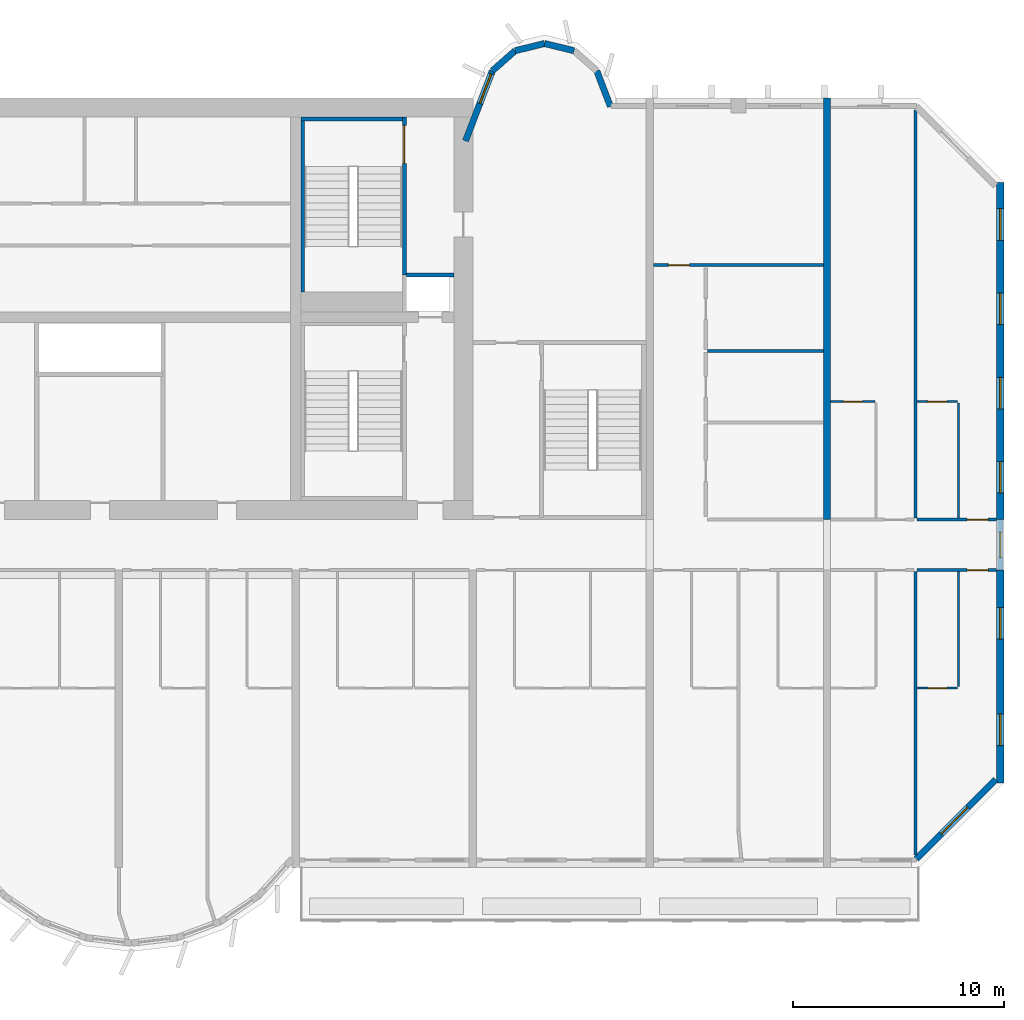
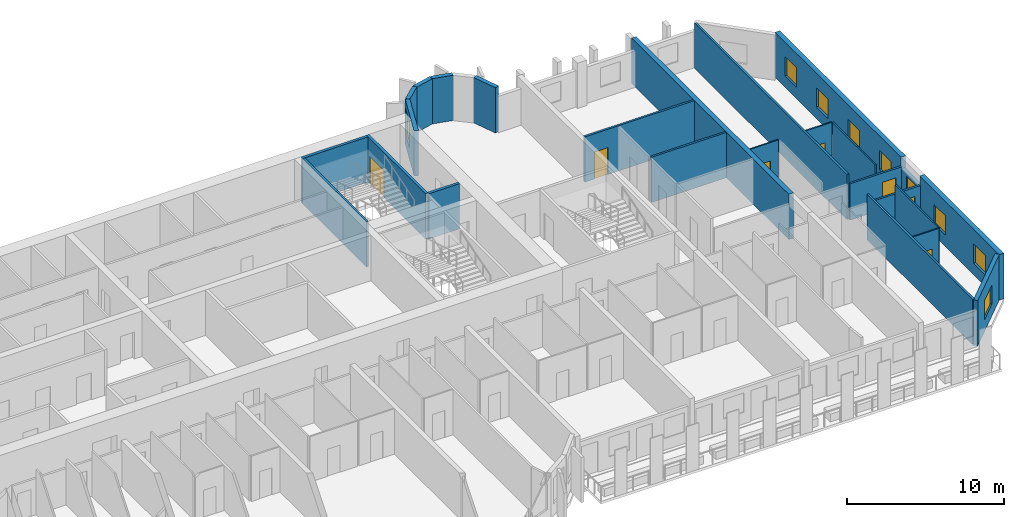
# One storey, part 10 of 14: 25 walls, 9 windows, 7 doors, 16 openings.
"""IFC4 building model written with IfcOpenShell, lengths in metres."""

from ifc_helpers import new_model, si_unit, direction, frame, frame_2d, origin, place, context, subcontext, project, spatial, rectangle, extrude, source, transform, mapped, material, layer, layer_set, type_object, element, fill, save


model = new_model("IFC4")

# Units and contexts
model_context = context("Model", 3, precision=1e-05, world=origin(), true_north=direction((0.0, 1.0)))
body_context = subcontext(model_context, "Body", "Model", "MODEL_VIEW")
ifc_project = project(units=[si_unit("LENGTHUNIT", "METRE"), si_unit("AREAUNIT", "SQUARE_METRE"), si_unit("VOLUMEUNIT", "CUBIC_METRE"), si_unit("PLANEANGLEUNIT", "RADIAN"), si_unit("MASSUNIT", "GRAM", prefix="KILO")], contexts=[model_context])

# Site, building, storey
site_placement = place(None, origin())
site = spatial("IfcSite", under=ifc_project, at=site_placement, CompositionType="ELEMENT")
building_placement = place(site_placement, origin())
building = spatial("IfcBuilding", under=site, at=building_placement, Name="Vanashikhar Sky Hotel", CompositionType="ELEMENT")
storey_placement = place(building_placement, frame((0.0, 0.0, 102.800048828125)))
storey = spatial("IfcBuildingStorey", under=building, at=storey_placement, Name="L24", CompositionType="ELEMENT", Elevation=102.800048828125)

# Wall, openings, windows
ifc_material_1 = material(Name="Concrete M70", Category="concrete")
ifc_layer_1 = layer(ifc_material_1, 0.35009765625)
ifc_layer_set_1 = layer_set([ifc_layer_1], Name="RC shear wall 350 Concrete M70")
wall_type_1 = type_object("IfcWallType", Name="RC shear wall 350 Concrete M70", PredefinedType="SHEAR", material=ifc_layer_set_1)
shared_shape_1 = source(origin(), body_context, "Body", "SweptSolid", [
    extrude(rectangle(XDim=10.10009765625, YDim=0.35009765625, at=frame_2d((5.050048828125, 0.0))), origin(), (0.0, 0.0, 1.0), 3.52001953125),
])
wall_1_placement = place(storey_placement, frame((100.625, 9.5, 0.0), z_axis=(0.0, 0.0, 1.0), x_axis=(0.0, 1.0, 0.0)))
wall_1 = element("IfcWall", 1, at=wall_1_placement, inside=storey, type_object=wall_type_1, Name="CW-L24-XW13-1", PredefinedType="SHEAR", context=body_context, shape_type="MappedRepresentation", body=[
    mapped(shared_shape_1, transform((0.0, 0.0, 0.0), scale=1.0)),
])
shared_shape_2 = source(origin(), body_context, "Body", "SweptSolid", [
    extrude(rectangle(XDim=1.5, YDim=1.5, at=frame_2d((0.75, 0.75))), frame((0.0, 0.18505859375, 0.0), z_axis=(0.0, -1.0, 0.0), x_axis=(1.0, 0.0, 0.0)), (0.0, 0.0, 1.0), 0.3701171875),
])
opening_1_placement = place(wall_1_placement, frame((1.77490234375, 0.0, 0.89990234375)))
opening_1 = element("IfcOpeningElement", 2, at=opening_1_placement, cuts=wall_1, Name="Opening WN-1", PredefinedType="OPENING", context=body_context, shape_type="MappedRepresentation", body=[
    mapped(shared_shape_2, transform((0.0, 0.0, 0.0), scale=1.0)),
])
opening_2_placement = place(wall_1_placement, frame((6.824951171875, 0.0, 0.89990234375)))
opening_2 = element("IfcOpeningElement", 3, at=opening_2_placement, cuts=wall_1, Name="Opening WN-1", PredefinedType="OPENING", context=body_context, shape_type="MappedRepresentation", body=[
    mapped(shared_shape_2, transform((0.0, 0.0, 0.0), scale=1.0)),
])
ifc_material_2 = material(Name="Glass", Category="glass")
window_type_1 = type_object("IfcWindowType", Name="Window 1500 x 1500", PartitioningType="SINGLE_PANEL", PredefinedType="WINDOW", material=ifc_material_2)
shared_shape_3 = source(origin(), body_context, "Body", "SweptSolid", [
    extrude(rectangle(XDim=1.5, YDim=1.5, at=frame_2d((0.75, 0.75))), frame((0.0, 0.030029296875, 0.0), z_axis=(0.0, -1.0, 0.0), x_axis=(1.0, 0.0, 0.0)), (0.0, 0.0, 1.0), 0.06005859375),
])
window_1_placement = place(opening_1_placement, origin())
window_1 = element("IfcWindow", 4, at=window_1_placement, inside=storey, type_object=window_type_1, Name="Window WN-1", OverallHeight=1.5, OverallWidth=1.5, PartitioningType="SINGLE_PANEL", PredefinedType="WINDOW", context=body_context, shape_type="MappedRepresentation", body=[
    mapped(shared_shape_3, transform((0.0, 0.0, 0.0), scale=1.0)),
])
fill(opening_1, window_1)
window_2_placement = place(opening_2_placement, origin())
window_2 = element("IfcWindow", 5, at=window_2_placement, inside=storey, type_object=window_type_1, Name="Window WN-1", OverallHeight=1.5, OverallWidth=1.5, PartitioningType="SINGLE_PANEL", PredefinedType="WINDOW", context=body_context, shape_type="MappedRepresentation", body=[
    mapped(shared_shape_3, transform((0.0, 0.0, 0.0), scale=1.0)),
])
fill(opening_2, window_2)

shared_shape_4 = source(origin(), body_context, "Body", "SweptSolid", [
    extrude(rectangle(XDim=16.0, YDim=0.35009765625, at=frame_2d((8.0, 0.0))), origin(), (0.0, 0.0, 1.0), 3.52001953125),
])
wall_2_placement = place(storey_placement, frame((100.625, 22.0, 0.0), z_axis=(0.0, 0.0, 1.0), x_axis=(0.0, 1.0, 0.0)))
wall_2 = element("IfcWall", 6, at=wall_2_placement, inside=storey, type_object=wall_type_1, Name="CW-L24-XW13-2", PredefinedType="SHEAR", context=body_context, shape_type="MappedRepresentation", body=[
    mapped(shared_shape_4, transform((0.0, 0.0, 0.0), scale=1.0)),
])
opening_3_placement = place(wall_2_placement, frame((1.25, 0.0, 0.89990234375)))
opening_3 = element("IfcOpeningElement", 7, at=opening_3_placement, cuts=wall_2, Name="Opening WN-1", PredefinedType="OPENING", context=body_context, shape_type="MappedRepresentation", body=[
    mapped(shared_shape_2, transform((0.0, 0.0, 0.0), scale=1.0)),
])
opening_4_placement = place(wall_2_placement, frame((5.25, 0.0, 0.89990234375)))
opening_4 = element("IfcOpeningElement", 8, at=opening_4_placement, cuts=wall_2, Name="Opening WN-1", PredefinedType="OPENING", context=body_context, shape_type="MappedRepresentation", body=[
    mapped(shared_shape_2, transform((0.0, 0.0, 0.0), scale=1.0)),
])
opening_5_placement = place(wall_2_placement, frame((9.25, 0.0, 0.89990234375)))
opening_5 = element("IfcOpeningElement", 9, at=opening_5_placement, cuts=wall_2, Name="Opening WN-1", PredefinedType="OPENING", context=body_context, shape_type="MappedRepresentation", body=[
    mapped(shared_shape_2, transform((0.0, 0.0, 0.0), scale=1.0)),
])
opening_6_placement = place(wall_2_placement, frame((13.25, 0.0, 0.89990234375)))
opening_6 = element("IfcOpeningElement", 10, at=opening_6_placement, cuts=wall_2, Name="Opening WN-1", PredefinedType="OPENING", context=body_context, shape_type="MappedRepresentation", body=[
    mapped(shared_shape_2, transform((0.0, 0.0, 0.0), scale=1.0)),
])
window_3_placement = place(opening_3_placement, origin())
window_3 = element("IfcWindow", 11, at=window_3_placement, inside=storey, type_object=window_type_1, Name="Window WN-1", OverallHeight=1.5, OverallWidth=1.5, PartitioningType="SINGLE_PANEL", PredefinedType="WINDOW", context=body_context, shape_type="MappedRepresentation", body=[
    mapped(shared_shape_3, transform((0.0, 0.0, 0.0), scale=1.0)),
])
fill(opening_3, window_3)
window_4_placement = place(opening_4_placement, origin())
window_4 = element("IfcWindow", 12, at=window_4_placement, inside=storey, type_object=window_type_1, Name="Window WN-1", OverallHeight=1.5, OverallWidth=1.5, PartitioningType="SINGLE_PANEL", PredefinedType="WINDOW", context=body_context, shape_type="MappedRepresentation", body=[
    mapped(shared_shape_3, transform((0.0, 0.0, 0.0), scale=1.0)),
])
fill(opening_4, window_4)
window_5_placement = place(opening_5_placement, origin())
window_5 = element("IfcWindow", 13, at=window_5_placement, inside=storey, type_object=window_type_1, Name="Window WN-1", OverallHeight=1.5, OverallWidth=1.5, PartitioningType="SINGLE_PANEL", PredefinedType="WINDOW", context=body_context, shape_type="MappedRepresentation", body=[
    mapped(shared_shape_3, transform((0.0, 0.0, 0.0), scale=1.0)),
])
fill(opening_5, window_5)
window_6_placement = place(opening_6_placement, origin())
window_6 = element("IfcWindow", 14, at=window_6_placement, inside=storey, type_object=window_type_1, Name="Window WN-1", OverallHeight=1.5, OverallWidth=1.5, PartitioningType="SINGLE_PANEL", PredefinedType="WINDOW", context=body_context, shape_type="MappedRepresentation", body=[
    mapped(shared_shape_3, transform((0.0, 0.0, 0.0), scale=1.0)),
])
fill(opening_6, window_6)

# Wall
shared_shape_5 = source(origin(), body_context, "Body", "SweptSolid", [
    extrude(rectangle(XDim=20.0, YDim=0.35009765625, at=frame_2d((10.0, 0.0))), origin(), (0.0, 0.0, 1.0), 3.52001953125),
])
wall_3_placement = place(storey_placement, frame((92.39990234375, 22.0, 0.0), z_axis=(0.0, 0.0, 1.0), x_axis=(0.0, 1.0, 0.0)))
element("IfcWall", 15, at=wall_3_placement, inside=storey, type_object=wall_type_1, Name="CW-L24-XW12-2", PredefinedType="SHEAR", context=body_context, shape_type="MappedRepresentation", body=[
    mapped(shared_shape_5, transform((0.0, 0.0, 0.0), scale=1.0)),
])

# Wall, opening, window
ifc_material_3 = material(Name="Concrete M50", Category="concrete")
ifc_layer_2 = layer(ifc_material_3, 0.300048828125)
ifc_layer_set_2 = layer_set([ifc_layer_2], Name="Lobe wall 300")
wall_type_2 = type_object("IfcWallType", Name="Lobe wall 300", PredefinedType="SOLIDWALL", material=ifc_layer_set_2)
shared_shape_6 = source(origin(), body_context, "Body", "SweptSolid", [
    extrude(rectangle(XDim=5.32568359375, YDim=0.300048828125, at=frame_2d((2.662841796875, 0.0))), origin(), (0.0, 0.0, 1.0), 3.52001953125),
])
wall_4_placement = place(storey_placement, frame((96.63427734375, 5.89990234375, 0.0), z_axis=(0.0, 0.0, 1.0), x_axis=(0.707083859269, 0.707129702361, 0.0)))
wall_4 = element("IfcWall", 16, at=wall_4_placement, inside=storey, type_object=wall_type_2, Name="Corner wall", PredefinedType="SOLIDWALL", context=body_context, shape_type="MappedRepresentation", body=[
    mapped(shared_shape_6, transform((0.0, 0.0, 0.0), scale=1.0)),
])
shared_shape_7 = source(origin(), body_context, "Body", "SweptSolid", [
    extrude(rectangle(XDim=1.800048828125, YDim=1.5, at=frame_2d((0.89990234375, 0.75))), frame((0.0, 0.16015625, 0.0), z_axis=(0.0, -1.0, 0.0), x_axis=(1.0, 0.0, 0.0)), (0.0, 0.0, 1.0), 0.320068359375),
])
opening_7_placement = place(wall_4_placement, frame((1.671875, 0.0, 0.89990234375)))
opening_7 = element("IfcOpeningElement", 17, at=opening_7_placement, cuts=wall_4, Name="Opening WN-4", PredefinedType="OPENING", context=body_context, shape_type="MappedRepresentation", body=[
    mapped(shared_shape_7, transform((0.0, 0.0, 0.0), scale=1.0)),
])
window_type_2 = type_object("IfcWindowType", Name="Corner window 1800 x 1500", PartitioningType="SINGLE_PANEL", PredefinedType="WINDOW", material=ifc_material_2)
shared_shape_8 = source(origin(), body_context, "Body", "SweptSolid", [
    extrude(rectangle(XDim=1.800048828125, YDim=1.5, at=frame_2d((0.89990234375, 0.75))), frame((0.0, 0.030029296875, 0.0), z_axis=(0.0, -1.0, 0.0), x_axis=(1.0, 0.0, 0.0)), (0.0, 0.0, 1.0), 0.06005859375),
])
window_7_placement = place(opening_7_placement, origin())
window_7 = element("IfcWindow", 18, at=window_7_placement, inside=storey, type_object=window_type_2, Name="Window WN-4", OverallHeight=1.5, OverallWidth=1.800048828125, PartitioningType="SINGLE_PANEL", PredefinedType="WINDOW", context=body_context, shape_type="MappedRepresentation", body=[
    mapped(shared_shape_8, transform((0.0, 0.0, 0.0), scale=1.0)),
])
fill(opening_7, window_7)

shared_shape_9 = source(origin(), body_context, "Body", "SweptSolid", [
    extrude(rectangle(XDim=3.55908203125, YDim=0.300048828125, at=frame_2d((1.779541015625, 0.0))), origin(), (0.0, 0.0, 1.0), 3.52001953125),
])
wall_5_placement = place(storey_placement, frame((76.5234375, 43.2919921875, 0.0), z_axis=(0.0, 0.0, 1.0), x_axis=(-0.35779745313, -0.933799219604, 0.0)))
wall_5 = element("IfcWall", 19, at=wall_5_placement, inside=storey, type_object=wall_type_2, Name="Lobe wall", PredefinedType="SOLIDWALL", context=body_context, shape_type="MappedRepresentation", body=[
    mapped(shared_shape_9, transform((0.0, 0.0, 0.0), scale=1.0)),
])
shared_shape_10 = source(origin(), body_context, "Body", "SweptSolid", [
    extrude(rectangle(XDim=1.5, YDim=2.0, at=frame_2d((0.75, 1.0))), frame((0.0, 0.16015625, 0.0), z_axis=(0.0, -1.0, 0.0), x_axis=(1.0, 0.0, 0.0)), (0.0, 0.0, 1.0), 0.320068359375),
])
opening_8_placement = place(wall_5_placement, frame((0.156005859375, 0.0, 0.89990234375)))
opening_8 = element("IfcOpeningElement", 20, at=opening_8_placement, cuts=wall_5, Name="Opening WN-2", PredefinedType="OPENING", context=body_context, shape_type="MappedRepresentation", body=[
    mapped(shared_shape_10, transform((0.0, 0.0, 0.0), scale=1.0)),
])
window_type_3 = type_object("IfcWindowType", Name="Lobe window 1500 x 2000", PartitioningType="SINGLE_PANEL", PredefinedType="WINDOW", material=ifc_material_2)
shared_shape_11 = source(origin(), body_context, "Body", "SweptSolid", [
    extrude(rectangle(XDim=1.5, YDim=2.0, at=frame_2d((0.75, 1.0))), frame((0.0, 0.030029296875, 0.0), z_axis=(0.0, -1.0, 0.0), x_axis=(1.0, 0.0, 0.0)), (0.0, 0.0, 1.0), 0.06005859375),
])
window_8_placement = place(opening_8_placement, origin())
window_8 = element("IfcWindow", 21, at=window_8_placement, inside=storey, type_object=window_type_3, Name="Window WN-2", OverallHeight=2.0, OverallWidth=1.5, PartitioningType="SINGLE_PANEL", PredefinedType="WINDOW", context=body_context, shape_type="MappedRepresentation", body=[
    mapped(shared_shape_11, transform((0.0, 0.0, 0.0), scale=1.0)),
])
fill(opening_8, window_8)

# Walls
shared_shape_12 = source(origin(), body_context, "Body", "SweptSolid", [
    extrude(rectangle(XDim=1.438720703125, YDim=0.300048828125, at=frame_2d((0.71923828125, 0.0))), origin(), (0.0, 0.0, 1.0), 3.52001953125),
])
for number, where, z_axis, x_axis, name in (
    (22, (80.397216796875, 44.2451171875, 0.0), (0.0, 0.0, 1.0), (-0.971161932466, 0.238420848351, 0.0), "Lobe wall"),
    (23, (79.0, 44.588134765625, 0.0), (0.0, 0.0, 1.0), (-0.971161932466, -0.238420848351, 0.0), "Lobe wall"),
):
    element("IfcWall", number, at=place(storey_placement, frame(where, z_axis=z_axis, x_axis=x_axis)), inside=storey, type_object=wall_type_2, Name=name, PredefinedType="SOLIDWALL", context=body_context, shape_type="MappedRepresentation", body=[
        mapped(shared_shape_12, transform((0.0, 0.0, 0.0), scale=1.0)),
    ])
shared_shape_13 = source(origin(), body_context, "Body", "SweptSolid", [
    extrude(rectangle(XDim=1.43994140625, YDim=0.300048828125, at=frame_2d((0.719970703125, 0.0))), origin(), (0.0, 0.0, 1.0), 3.52001953125),
])
wall_6_placement = place(storey_placement, frame((77.602783203125, 44.2451171875, 0.0), z_axis=(0.0, 0.0, 1.0), x_axis=(-0.74957555648, -0.661918790432, 0.0)))
element("IfcWall", 24, at=wall_6_placement, inside=storey, type_object=wall_type_2, Name="Lobe wall", PredefinedType="SOLIDWALL", context=body_context, shape_type="MappedRepresentation", body=[
    mapped(shared_shape_13, transform((0.0, 0.0, 0.0), scale=1.0)),
])
shared_shape_14 = source(origin(), body_context, "Body", "SweptSolid", [
    extrude(rectangle(XDim=1.81201171875, YDim=0.300048828125, at=frame_2d((0.906005859375, 0.0))), origin(), (0.0, 0.0, 1.0), 3.52001953125),
])
wall_7_placement = place(storey_placement, frame((82.125, 41.60009765625, 0.0), z_axis=(0.0, 0.0, 1.0), x_axis=(-0.357877270961, 0.93376863244, 0.0)))
element("IfcWall", 25, at=wall_7_placement, inside=storey, type_object=wall_type_2, Name="Lobe wall", PredefinedType="SOLIDWALL", context=body_context, shape_type="MappedRepresentation", body=[
    mapped(shared_shape_14, transform((0.0, 0.0, 0.0), scale=1.0)),
])

# Wall, opening, window
ifc_layer_3 = layer(ifc_material_3, 0.25)
ifc_layer_set_3 = layer_set([ifc_layer_3], Name="Rear and end board-marked wall 250")
wall_type_3 = type_object("IfcWallType", Name="Rear and end board-marked wall 250", PredefinedType="SOLIDWALL", material=ifc_layer_set_3)
shared_shape_15 = source(origin(), body_context, "Body", "SweptSolid", [
    extrude(rectangle(XDim=2.39990234375, YDim=0.25, at=frame_2d((1.199951171875, 0.0))), origin(), (0.0, 0.0, 1.0), 2.619873046875),
])
wall_8_placement = place(storey_placement, frame((100.625, 19.60009765625, 0.0), z_axis=(0.0, 0.0, 1.0), x_axis=(0.0, 1.0, 0.0)))
wall_8 = element("IfcWall", 26, at=wall_8_placement, inside=storey, type_object=wall_type_3, Name="End corridor infill wall", PredefinedType="SOLIDWALL", context=body_context, shape_type="MappedRepresentation", body=[
    mapped(shared_shape_15, transform((0.0, 0.0, 0.0), scale=1.0)),
])
shared_shape_16 = source(origin(), body_context, "Body", "SweptSolid", [
    extrude(rectangle(XDim=1.199951171875, YDim=1.5, at=frame_2d((0.60009765625, 0.75))), frame((0.0, 0.135009765625, 0.0), z_axis=(0.0, -1.0, 0.0), x_axis=(1.0, 0.0, 0.0)), (0.0, 0.0, 1.0), 0.27001953125),
])
opening_9_placement = place(wall_8_placement, frame((0.60009765625, 0.0, 0.89990234375)))
opening_9 = element("IfcOpeningElement", 27, at=opening_9_placement, cuts=wall_8, Name="Opening WN-3", PredefinedType="OPENING", context=body_context, shape_type="MappedRepresentation", body=[
    mapped(shared_shape_16, transform((0.0, 0.0, 0.0), scale=1.0)),
])
window_type_4 = type_object("IfcWindowType", Name="Corridor end window 1200 x 1500", PartitioningType="SINGLE_PANEL", PredefinedType="WINDOW", material=ifc_material_2)
shared_shape_17 = source(origin(), body_context, "Body", "SweptSolid", [
    extrude(rectangle(XDim=1.199951171875, YDim=1.5, at=frame_2d((0.60009765625, 0.75))), frame((0.0, 0.030029296875, 0.0), z_axis=(0.0, -1.0, 0.0), x_axis=(1.0, 0.0, 0.0)), (0.0, 0.0, 1.0), 0.06005859375),
])
window_9_placement = place(opening_9_placement, origin())
window_9 = element("IfcWindow", 28, at=window_9_placement, inside=storey, type_object=window_type_4, Name="Window WN-3", OverallHeight=1.5, OverallWidth=1.199951171875, PartitioningType="SINGLE_PANEL", PredefinedType="WINDOW", context=body_context, shape_type="MappedRepresentation", body=[
    mapped(shared_shape_17, transform((0.0, 0.0, 0.0), scale=1.0)),
])
fill(opening_9, window_9)

# Wall, opening, door
ifc_layer_4 = layer(ifc_material_3, 0.199951171875)
ifc_layer_set_4 = layer_set([ifc_layer_4], Name="Stair wall 200")
wall_type_4 = type_object("IfcWallType", Name="Stair wall 200", PredefinedType="SOLIDWALL", material=ifc_layer_set_4)
shared_shape_18 = source(origin(), body_context, "Body", "SweptSolid", [
    extrude(rectangle(XDim=7.5, YDim=0.199951171875, at=frame_2d((3.75, 0.0))), origin(), (0.0, 0.0, 1.0), 3.52001953125),
])
wall_9_placement = place(storey_placement, frame((72.35009765625, 33.60009765625, 0.0), z_axis=(0.0, 0.0, 1.0), x_axis=(0.0, 1.0, 0.0)))
wall_9 = element("IfcWall", 29, at=wall_9_placement, inside=storey, type_object=wall_type_4, Name="Stair wall 200", PredefinedType="SOLIDWALL", context=body_context, shape_type="MappedRepresentation", body=[
    mapped(shared_shape_18, transform((0.0, 0.0, 0.0), scale=1.0)),
])
shared_shape_19 = source(origin(), body_context, "Body", "SweptSolid", [
    extrude(rectangle(XDim=1.800048828125, YDim=2.10009765625, at=frame_2d((0.89990234375, 1.050048828125))), frame((0.0, 0.10986328125, 0.0), z_axis=(0.0, -1.0, 0.0), x_axis=(1.0, 0.0, 0.0)), (0.0, 0.0, 1.0), 0.219970703125),
])
opening_10_placement = place(wall_9_placement, frame((5.300048828125, 0.0, 0.0)))
opening_10 = element("IfcOpeningElement", 30, at=opening_10_placement, cuts=wall_9, Name="Opening DC-1-A", PredefinedType="OPENING", context=body_context, shape_type="MappedRepresentation", body=[
    mapped(shared_shape_19, transform((0.0, 0.0, 0.0), scale=1.0)),
])
ifc_material_4 = material(Name="Steel", Category="steel")
door_type_1 = type_object("IfcDoorType", Name="Stair door 1800 FD120", OperationType="NOTDEFINED", PredefinedType="DOOR", material=ifc_material_4)
shared_shape_20 = source(origin(), body_context, "Body", "SweptSolid", [
    extrude(rectangle(XDim=1.800048828125, YDim=2.10009765625, at=frame_2d((0.89990234375, 1.050048828125))), frame((0.0, 0.02490234375, 0.0), z_axis=(0.0, -1.0, 0.0), x_axis=(1.0, 0.0, 0.0)), (0.0, 0.0, 1.0), 0.050048828125),
])
door_1_placement = place(opening_10_placement, origin())
door_1 = element("IfcDoor", 31, at=door_1_placement, inside=storey, type_object=door_type_1, Name="Stair door 1800 FD120", OperationType="SINGLE_SWING_LEFT", OverallHeight=2.10009765625, OverallWidth=1.800048828125, PredefinedType="DOOR", context=body_context, shape_type="MappedRepresentation", body=[
    mapped(shared_shape_20, transform((0.0, 0.0, 0.0), scale=1.0)),
])
fill(opening_10, door_1)

# Walls
ifc_material_5 = material(Name="Concrete M40", Category="concrete")
ifc_layer_5 = layer(ifc_material_5, 0.199951171875)
ifc_layer_set_5 = layer_set([ifc_layer_5], Name="Shaft wall 200")
wall_type_5 = type_object("IfcWallType", Name="Shaft wall 200", PredefinedType="SOLIDWALL", material=ifc_layer_set_5)
shared_shape_21 = source(origin(), body_context, "Body", "SweptSolid", [
    extrude(rectangle(XDim=2.25, YDim=0.199951171875, at=frame_2d((1.125, 0.0))), origin(), (0.0, 0.0, 1.0), 3.52001953125),
])
wall_10_placement = place(storey_placement, frame((72.449951171875, 33.60009765625, 0.0), z_axis=(0.0, 0.0, 1.0), x_axis=(1.0, 0.0, 0.0)))
element("IfcWall", 32, at=wall_10_placement, inside=storey, type_object=wall_type_5, Name="Shaft wall 200", PredefinedType="SOLIDWALL", context=body_context, shape_type="MappedRepresentation", body=[
    mapped(shared_shape_21, transform((0.0, 0.0, 0.0), scale=1.0)),
])
ifc_layer_6 = layer(ifc_material_3, 0.199951171875)
ifc_layer_set_6 = layer_set([ifc_layer_6], Name="Stair infill wall 200")
wall_type_6 = type_object("IfcWallType", Name="Stair infill wall 200", PredefinedType="SOLIDWALL", material=ifc_layer_set_6)
shared_shape_22 = source(origin(), body_context, "Body", "SweptSolid", [
    extrude(rectangle(XDim=4.800048828125, YDim=0.199951171875, at=frame_2d((2.39990234375, 0.0))), origin(), (0.0, 0.0, 1.0), 3.52001953125),
])
wall_11_placement = place(storey_placement, frame((67.449951171875, 41.0, 0.0), z_axis=(0.0, 0.0, 1.0), x_axis=(1.0, 0.0, 0.0)))
element("IfcWall", 33, at=wall_11_placement, inside=storey, type_object=wall_type_6, Name="Stair infill wall 200", PredefinedType="SOLIDWALL", context=body_context, shape_type="MappedRepresentation", body=[
    mapped(shared_shape_22, transform((0.0, 0.0, 0.0), scale=1.0)),
])
ifc_layer_7 = layer(ifc_material_3, 0.14990234375)
ifc_layer_set_7 = layer_set([ifc_layer_7], Name="Stair infill wall 150")
wall_type_7 = type_object("IfcWallType", Name="Stair infill wall 150", PredefinedType="SOLIDWALL", material=ifc_layer_set_7)
shared_shape_23 = source(origin(), body_context, "Body", "SweptSolid", [
    extrude(rectangle(XDim=8.099853515625, YDim=0.14990234375, at=frame_2d((4.0498046875, 0.0))), origin(), (0.0, 0.0, 1.0), 3.52001953125),
])
wall_12_placement = place(storey_placement, frame((67.52490234375, 32.800048828125, 0.0), z_axis=(0.0, 0.0, 1.0), x_axis=(0.0, 1.0, 0.0)))
element("IfcWall", 34, at=wall_12_placement, inside=storey, type_object=wall_type_7, Name="Stair infill wall 150", PredefinedType="SOLIDWALL", context=body_context, shape_type="MappedRepresentation", body=[
    mapped(shared_shape_23, transform((0.0, 0.0, 0.0), scale=1.0)),
])
ifc_material_6 = material(Name="Gypsum plasterboard partition")
ifc_layer_8 = layer(ifc_material_6, 0.14990234375)
ifc_layer_set_8 = layer_set([ifc_layer_8], Name="Corridor and demising partition 150")
wall_type_8 = type_object("IfcWallType", Name="Corridor and demising partition 150", PredefinedType="PARTITIONING", material=ifc_layer_set_8)
shared_shape_24 = source(origin(), body_context, "Body", "SweptSolid", [
    extrude(rectangle(XDim=19.34716796875, YDim=0.14990234375, at=frame_2d((9.673583984375, 0.0))), origin(), (0.0, 0.0, 1.0), 3.52001953125),
])
wall_13_placement = place(storey_placement, frame((96.60009765625, 22.074951171875, 0.0), z_axis=(0.0, 0.0, 1.0), x_axis=(0.0, 1.0, 0.0)))
element("IfcWall", 35, at=wall_13_placement, inside=storey, type_object=wall_type_8, Name="W-L24-PW108", PredefinedType="PARTITIONING", context=body_context, shape_type="MappedRepresentation", body=[
    mapped(shared_shape_24, transform((0.0, 0.0, 0.0), scale=1.0)),
])
ifc_layer_9 = layer(ifc_material_6, 0.10009765625)
ifc_layer_set_9 = layer_set([ifc_layer_9], Name="Wet room partition 100")
wall_type_9 = type_object("IfcWallType", Name="Wet room partition 100", PredefinedType="PARTITIONING", material=ifc_layer_set_9)
shared_shape_25 = source(origin(), body_context, "Body", "SweptSolid", [
    extrude(rectangle(XDim=5.449951171875, YDim=0.10009765625, at=frame_2d((2.72509765625, 0.0))), origin(), (0.0, 0.0, 1.0), 3.52001953125),
])
for number, where, z_axis, x_axis, name in (
    (36, (98.64990234375, 14.074951171875, 0.0), (0.0, 0.0, 1.0), (0.0, 1.0, 0.0), "W-L24-PW075"),
    (37, (98.64990234375, 22.074951171875, 0.0), (0.0, 0.0, 1.0), (0.0, 1.0, 0.0), "W-L24-PW105"),
):
    element("IfcWall", number, at=place(storey_placement, frame(where, z_axis=z_axis, x_axis=x_axis)), inside=storey, type_object=wall_type_9, Name=name, PredefinedType="PARTITIONING", context=body_context, shape_type="MappedRepresentation", body=[
        mapped(shared_shape_25, transform((0.0, 0.0, 0.0), scale=1.0)),
    ])

# Wall, opening, door
shared_shape_26 = source(origin(), body_context, "Body", "SweptSolid", [
    extrude(rectangle(XDim=1.925048828125, YDim=0.10009765625, at=frame_2d((0.96240234375, 0.0))), origin(), (0.0, 0.0, 1.0), 3.52001953125),
])
wall_14_placement = place(storey_placement, frame((96.675048828125, 14.0, 0.0), z_axis=(0.0, 0.0, 1.0), x_axis=(1.0, 0.0, 0.0)))
wall_14 = element("IfcWall", 38, at=wall_14_placement, inside=storey, type_object=wall_type_9, Name="W-L24-PW076", PredefinedType="PARTITIONING", context=body_context, shape_type="MappedRepresentation", body=[
    mapped(shared_shape_26, transform((0.0, 0.0, 0.0), scale=1.0)),
])
shared_shape_27 = source(origin(), body_context, "Body", "SweptSolid", [
    extrude(rectangle(XDim=0.89990234375, YDim=2.10009765625, at=frame_2d((0.449951171875, 1.050048828125))), frame((0.0, 0.06005859375, 0.0), z_axis=(0.0, -1.0, 0.0), x_axis=(1.0, 0.0, 0.0)), (0.0, 0.0, 1.0), 0.1201171875),
])
opening_11_placement = place(wall_14_placement, frame((0.512939453125, 0.0, 0.0)))
opening_11 = element("IfcOpeningElement", 39, at=opening_11_placement, cuts=wall_14, Name="Opening D-02", PredefinedType="OPENING", context=body_context, shape_type="MappedRepresentation", body=[
    mapped(shared_shape_27, transform((0.0, 0.0, 0.0), scale=1.0)),
])
ifc_material_7 = material(Name="Timber door", Category="wood")
door_type_2 = type_object("IfcDoorType", Name="Internal door 900", OperationType="NOTDEFINED", PredefinedType="DOOR", material=ifc_material_7)
shared_shape_28 = source(origin(), body_context, "Body", "SweptSolid", [
    extrude(rectangle(XDim=0.89990234375, YDim=2.10009765625, at=frame_2d((0.449951171875, 1.050048828125))), frame((0.0, 0.02490234375, 0.0), z_axis=(0.0, -1.0, 0.0), x_axis=(1.0, 0.0, 0.0)), (0.0, 0.0, 1.0), 0.050048828125),
])
door_2_placement = place(opening_11_placement, origin())
door_2 = element("IfcDoor", 40, at=door_2_placement, inside=storey, type_object=door_type_2, Name="D-L24-044", OperationType="SINGLE_SWING_RIGHT", OverallHeight=2.10009765625, OverallWidth=0.89990234375, PredefinedType="DOOR", context=body_context, shape_type="MappedRepresentation", body=[
    mapped(shared_shape_28, transform((0.0, 0.0, 0.0), scale=1.0)),
])
fill(opening_11, door_2)

wall_15_placement = place(storey_placement, frame((96.675048828125, 27.60009765625, 0.0), z_axis=(0.0, 0.0, 1.0), x_axis=(1.0, 0.0, 0.0)))
wall_15 = element("IfcWall", 41, at=wall_15_placement, inside=storey, type_object=wall_type_9, Name="W-L24-PW106", PredefinedType="PARTITIONING", context=body_context, shape_type="MappedRepresentation", body=[
    mapped(shared_shape_26, transform((0.0, 0.0, 0.0), scale=1.0)),
])
opening_12_placement = place(wall_15_placement, frame((0.512939453125, 0.0, 0.0)))
opening_12 = element("IfcOpeningElement", 42, at=opening_12_placement, cuts=wall_15, Name="Opening D-02", PredefinedType="OPENING", context=body_context, shape_type="MappedRepresentation", body=[
    mapped(shared_shape_27, transform((0.0, 0.0, 0.0), scale=1.0)),
])
door_3_placement = place(opening_12_placement, origin())
door_3 = element("IfcDoor", 43, at=door_3_placement, inside=storey, type_object=door_type_2, Name="D-L24-060", OperationType="SINGLE_SWING_RIGHT", OverallHeight=2.10009765625, OverallWidth=0.89990234375, PredefinedType="DOOR", context=body_context, shape_type="MappedRepresentation", body=[
    mapped(shared_shape_28, transform((0.0, 0.0, 0.0), scale=1.0)),
])
fill(opening_12, door_3)

shared_shape_29 = source(origin(), body_context, "Body", "SweptSolid", [
    extrude(rectangle(XDim=3.77490234375, YDim=0.14990234375, at=frame_2d((1.887451171875, 0.0))), origin(), (0.0, 0.0, 1.0), 2.820068359375),
])
wall_16_placement = place(storey_placement, frame((96.675048828125, 19.60009765625, 0.0), z_axis=(0.0, 0.0, 1.0), x_axis=(1.0, 0.0, 0.0)))
wall_16 = element("IfcWall", 44, at=wall_16_placement, inside=storey, type_object=wall_type_8, Name="W-L24-PW077", PredefinedType="PARTITIONING", context=body_context, shape_type="MappedRepresentation", body=[
    mapped(shared_shape_29, transform((0.0, 0.0, 0.0), scale=1.0)),
])
shared_shape_30 = source(origin(), body_context, "Body", "SweptSolid", [
    extrude(rectangle(XDim=1.0, YDim=2.10009765625, at=frame_2d((0.5, 1.050048828125))), frame((0.0, 0.0849609375, 0.0), z_axis=(0.0, -1.0, 0.0), x_axis=(1.0, 0.0, 0.0)), (0.0, 0.0, 1.0), 0.169921875),
])
opening_13_placement = place(wall_16_placement, frame((2.375, 0.0, 0.0)))
opening_13 = element("IfcOpeningElement", 45, at=opening_13_placement, cuts=wall_16, Name="Opening D-01", PredefinedType="OPENING", context=body_context, shape_type="MappedRepresentation", body=[
    mapped(shared_shape_30, transform((0.0, 0.0, 0.0), scale=1.0)),
])
ifc_material_8 = material(Name="Timber fire door", Category="wood")
door_type_3 = type_object("IfcDoorType", Name="Guest entry door 1000 FD30S", OperationType="NOTDEFINED", PredefinedType="DOOR", material=ifc_material_8)
shared_shape_31 = source(origin(), body_context, "Body", "SweptSolid", [
    extrude(rectangle(XDim=1.0, YDim=2.10009765625, at=frame_2d((0.5, 1.050048828125))), frame((0.0, 0.02490234375, 0.0), z_axis=(0.0, -1.0, 0.0), x_axis=(1.0, 0.0, 0.0)), (0.0, 0.0, 1.0), 0.050048828125),
])
door_4_placement = place(opening_13_placement, origin())
door_4 = element("IfcDoor", 46, at=door_4_placement, inside=storey, type_object=door_type_3, Name="D-L24-045", OperationType="SINGLE_SWING_RIGHT", OverallHeight=2.10009765625, OverallWidth=1.0, PredefinedType="DOOR", context=body_context, shape_type="MappedRepresentation", body=[
    mapped(shared_shape_31, transform((0.0, 0.0, 0.0), scale=1.0)),
])
fill(opening_13, door_4)

wall_17_placement = place(storey_placement, frame((96.675048828125, 22.0, 0.0), z_axis=(0.0, 0.0, 1.0), x_axis=(1.0, 0.0, 0.0)))
wall_17 = element("IfcWall", 47, at=wall_17_placement, inside=storey, type_object=wall_type_8, Name="W-L24-PW107", PredefinedType="PARTITIONING", context=body_context, shape_type="MappedRepresentation", body=[
    mapped(shared_shape_29, transform((0.0, 0.0, 0.0), scale=1.0)),
])
opening_14_placement = place(wall_17_placement, frame((2.375, 0.0, 0.0)))
opening_14 = element("IfcOpeningElement", 48, at=opening_14_placement, cuts=wall_17, Name="Opening D-01", PredefinedType="OPENING", context=body_context, shape_type="MappedRepresentation", body=[
    mapped(shared_shape_30, transform((0.0, 0.0, 0.0), scale=1.0)),
])
door_5_placement = place(opening_14_placement, origin())
door_5 = element("IfcDoor", 49, at=door_5_placement, inside=storey, type_object=door_type_3, Name="D-L24-061", OperationType="SINGLE_SWING_RIGHT", OverallHeight=2.10009765625, OverallWidth=1.0, PredefinedType="DOOR", context=body_context, shape_type="MappedRepresentation", body=[
    mapped(shared_shape_31, transform((0.0, 0.0, 0.0), scale=1.0)),
])
fill(opening_14, door_5)

shared_shape_32 = source(origin(), body_context, "Body", "SweptSolid", [
    extrude(rectangle(XDim=2.10009765625, YDim=0.10009765625, at=frame_2d((1.050048828125, 0.0))), origin(), (0.0, 0.0, 1.0), 3.52001953125),
])
wall_18_placement = place(storey_placement, frame((92.574951171875, 27.60009765625, 0.0), z_axis=(0.0, 0.0, 1.0), x_axis=(1.0, 0.0, 0.0)))
wall_18 = element("IfcWall", 50, at=wall_18_placement, inside=storey, type_object=wall_type_9, Name="W-L24-PW103", PredefinedType="PARTITIONING", context=body_context, shape_type="MappedRepresentation", body=[
    mapped(shared_shape_32, transform((0.0, 0.0, 0.0), scale=1.0)),
])
opening_15_placement = place(wall_18_placement, frame((0.60009765625, 0.0, 0.0)))
opening_15 = element("IfcOpeningElement", 51, at=opening_15_placement, cuts=wall_18, Name="Opening D-02", PredefinedType="OPENING", context=body_context, shape_type="MappedRepresentation", body=[
    mapped(shared_shape_27, transform((0.0, 0.0, 0.0), scale=1.0)),
])
door_6_placement = place(opening_15_placement, origin())
door_6 = element("IfcDoor", 52, at=door_6_placement, inside=storey, type_object=door_type_2, Name="D-L24-058", OperationType="SINGLE_SWING_RIGHT", OverallHeight=2.10009765625, OverallWidth=0.89990234375, PredefinedType="DOOR", context=body_context, shape_type="MappedRepresentation", body=[
    mapped(shared_shape_28, transform((0.0, 0.0, 0.0), scale=1.0)),
])
fill(opening_15, door_6)

# Walls
shared_shape_33 = source(origin(), body_context, "Body", "SweptSolid", [
    extrude(rectangle(XDim=13.447021484375, YDim=0.14990234375, at=frame_2d((6.7236328125, 0.0))), origin(), (0.0, 0.0, 1.0), 3.52001953125),
])
wall_19_placement = place(storey_placement, frame((96.60009765625, 6.077880859375, 0.0), z_axis=(0.0, 0.0, 1.0), x_axis=(0.0, 1.0, 0.0)))
element("IfcWall", 53, at=wall_19_placement, inside=storey, type_object=wall_type_8, Name="W-L24-PW078", PredefinedType="PARTITIONING", context=body_context, shape_type="MappedRepresentation", body=[
    mapped(shared_shape_33, transform((0.0, 0.0, 0.0), scale=1.0)),
])
shared_shape_34 = source(origin(), body_context, "Body", "SweptSolid", [
    extrude(rectangle(XDim=5.5, YDim=0.14990234375, at=frame_2d((2.75, 0.0))), origin(), (0.0, 0.0, 1.0), 3.52001953125),
])
wall_20_placement = place(storey_placement, frame((86.72509765625, 30.0, 0.0), z_axis=(0.0, 0.0, 1.0), x_axis=(1.0, 0.0, 0.0)))
element("IfcWall", 54, at=wall_20_placement, inside=storey, type_object=wall_type_8, Name="W-L24-PW099", PredefinedType="PARTITIONING", context=body_context, shape_type="MappedRepresentation", body=[
    mapped(shared_shape_34, transform((0.0, 0.0, 0.0), scale=1.0)),
])

# Wall, opening, door
shared_shape_35 = source(origin(), body_context, "Body", "SweptSolid", [
    extrude(rectangle(XDim=8.050048828125, YDim=0.14990234375, at=frame_2d((4.02490234375, 0.0))), origin(), (0.0, 0.0, 1.0), 3.52001953125),
])
wall_21_placement = place(storey_placement, frame((84.175048828125, 34.074951171875, 0.0), z_axis=(0.0, 0.0, 1.0), x_axis=(1.0, 0.0, 0.0)))
wall_21 = element("IfcWall", 55, at=wall_21_placement, inside=storey, type_object=wall_type_8, Name="W-L24-PW101", PredefinedType="PARTITIONING", context=body_context, shape_type="MappedRepresentation", body=[
    mapped(shared_shape_35, transform((0.0, 0.0, 0.0), scale=1.0)),
])
opening_16_placement = place(wall_21_placement, frame((0.699951171875, 0.0, 0.0)))
opening_16 = element("IfcOpeningElement", 56, at=opening_16_placement, cuts=wall_21, Name="Opening D-01", PredefinedType="OPENING", context=body_context, shape_type="MappedRepresentation", body=[
    mapped(shared_shape_30, transform((0.0, 0.0, 0.0), scale=1.0)),
])
door_7_placement = place(opening_16_placement, origin())
door_7 = element("IfcDoor", 57, at=door_7_placement, inside=storey, type_object=door_type_3, Name="D-L24-057", OperationType="SINGLE_SWING_LEFT", OverallHeight=2.10009765625, OverallWidth=1.0, PredefinedType="DOOR", context=body_context, shape_type="MappedRepresentation", body=[
    mapped(shared_shape_31, transform((0.0, 0.0, 0.0), scale=1.0)),
])
fill(opening_16, door_7)

save(model, "model.ifc")
